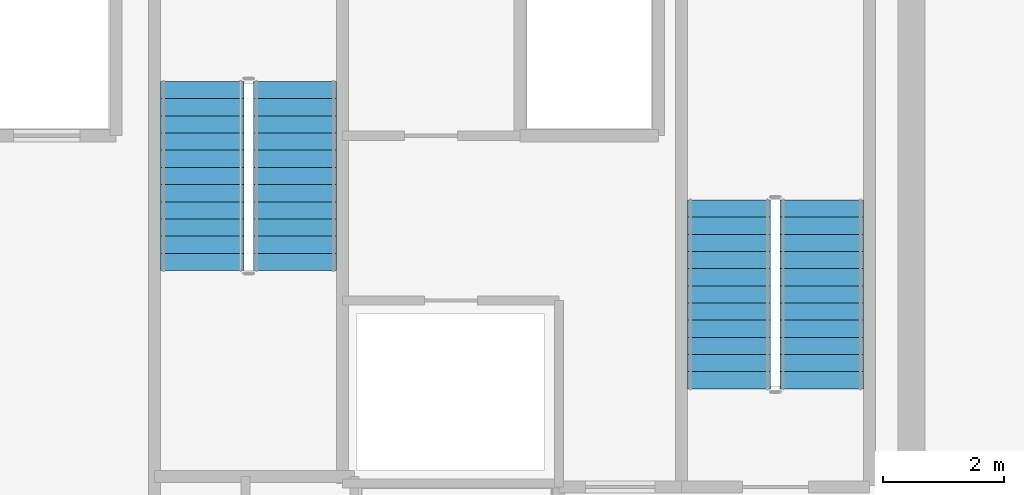
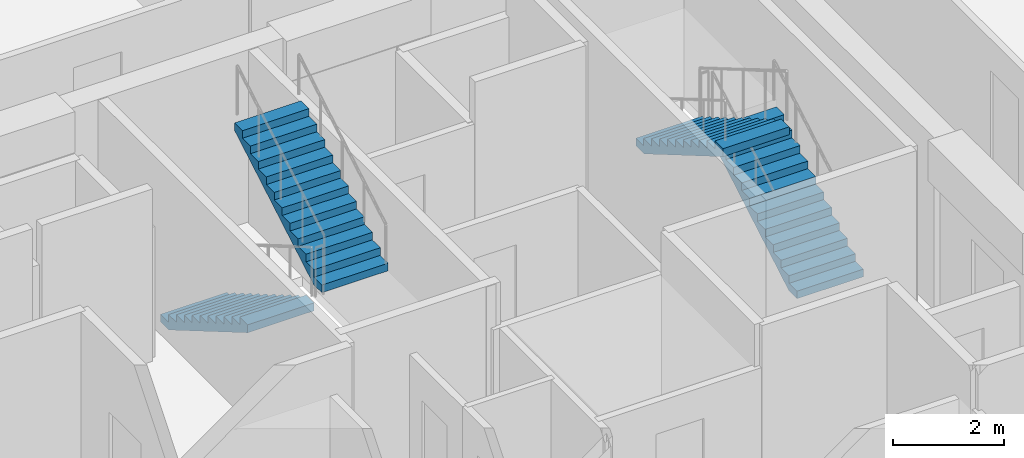
# One storey, part 16 of 20: 4 stair flights, 2 elements without a shape of their own.
"""IFC4 building model written with IfcOpenShell, lengths in metres."""

from ifc_helpers import new_model, si_unit, direction, frame, origin, place, context, subcontext, project, spatial, polyline, outline, extrude, material, type_object, element, aggregate, save


model = new_model("IFC4")

# Units and contexts
model_context = context("Model", 3, precision=1e-05, world=origin(), true_north=direction((0.0, 1.0)))
body_context = subcontext(model_context, "Body", "Model", "MODEL_VIEW")
ifc_project = project(units=[si_unit("LENGTHUNIT", "METRE"), si_unit("AREAUNIT", "SQUARE_METRE"), si_unit("VOLUMEUNIT", "CUBIC_METRE"), si_unit("PLANEANGLEUNIT", "RADIAN"), si_unit("MASSUNIT", "GRAM", prefix="KILO")], contexts=[model_context])

# Site, building, storey
site_placement = place(None, origin())
site = spatial("IfcSite", under=ifc_project, at=site_placement, CompositionType="ELEMENT")
building_placement = place(site_placement, origin())
building = spatial("IfcBuilding", under=site, at=building_placement, Name="Kovane Verandah Tower", CompositionType="ELEMENT")
storey_placement = place(building_placement, frame((0.0, 0.0, 287.199951171875)))
storey = spatial("IfcBuildingStorey", under=building, at=storey_placement, Name="L67", CompositionType="ELEMENT", Elevation=287.199951171875)

# Stair, stair flights
ifc_material = material(Name="Concrete C45/55", Category="concrete")
stair_type = type_object("IfcStairType", Name="ST-CORE-1380", PredefinedType="HALF_TURN_STAIR", material=ifc_material)
stair_1_placement = place(storey_placement, origin())
stair_1 = element("IfcStair", 1, at=stair_1_placement, inside=storey, type_object=stair_type, Name="L67 Exit Stair ST-02", PredefinedType="HALF_TURN_STAIR")
stair_flight_type = type_object("IfcStairFlightType", Name="STF-CORE-1380", PredefinedType="STRAIGHT", material=ifc_material)
stair_flight_1_placement = place(storey_placement, frame((49.510009765625, 29.25, 0.0), z_axis=(0.0, 0.0, 1.0), x_axis=(0.0, 1.0, 0.0)))
stair_flight_1 = element("IfcStairFlight", 2, at=stair_flight_1_placement, type_object=stair_flight_type, Name="ST-02 flight 1", NumberOfRisers=12, NumberOfTreads=11, PredefinedType="STRAIGHT", RiserHeight=0.166666667, TreadLength=0.285, context=body_context, shape_type="SweptSolid", body=[
    extrude(outline(polyline([(0.0, 0.0), (0.0, 0.166748046875), (0.284912109375, 0.166748046875), (0.284912109375, 0.333251953125), (0.570068359375, 0.333251953125), (0.570068359375, 0.5), (0.85498046875, 0.5), (0.85498046875, 0.666748046875), (1.139892578125, 0.666748046875), (1.139892578125, 0.833251953125), (1.425048828125, 0.833251953125), (1.425048828125, 1.0), (1.7099609375, 1.0), (1.7099609375, 1.166748046875), (1.9951171875, 1.166748046875), (1.9951171875, 1.333251953125), (2.280029296875, 1.333251953125), (2.280029296875, 1.5), (2.56494140625, 1.5), (2.56494140625, 1.666748046875), (2.85009765625, 1.666748046875), (2.85009765625, 1.833251953125), (3.135009765625, 1.833251953125), (3.135009765625, 2.0), (3.135009765625, 1.65966796875), (0.296875, 0.0), (0.0, 0.0)])), frame((0.0, 0.68994140625, 0.0), z_axis=(0.0, -1.0, 0.0), x_axis=(1.0, 0.0, 0.0)), (0.0, 0.0, 1.0), 1.3798828125),
])
stair_flight_2_placement = place(storey_placement, frame((47.969970703125, 32.385009765625, 2.0), z_axis=(0.0, 0.0, 1.0), x_axis=(0.0, -1.0, 0.0)))
stair_flight_2 = element("IfcStairFlight", 3, at=stair_flight_2_placement, type_object=stair_flight_type, Name="ST-02 flight 2", NumberOfRisers=12, NumberOfTreads=11, PredefinedType="STRAIGHT", RiserHeight=0.166666667, TreadLength=0.285, context=body_context, shape_type="SweptSolid", body=[
    extrude(outline(polyline([(0.0, 0.0), (0.0, 0.166748046875), (0.284912109375, 0.166748046875), (0.284912109375, 0.333251953125), (0.570068359375, 0.333251953125), (0.570068359375, 0.5), (0.85498046875, 0.5), (0.85498046875, 0.666748046875), (1.139892578125, 0.666748046875), (1.139892578125, 0.833251953125), (1.425048828125, 0.833251953125), (1.425048828125, 1.0), (1.7099609375, 1.0), (1.7099609375, 1.166748046875), (1.9951171875, 1.166748046875), (1.9951171875, 1.333251953125), (2.280029296875, 1.333251953125), (2.280029296875, 1.5), (2.56494140625, 1.5), (2.56494140625, 1.666748046875), (2.85009765625, 1.666748046875), (2.85009765625, 1.833251953125), (3.135009765625, 1.833251953125), (3.135009765625, 2.0), (3.135009765625, 1.65966796875), (0.296875, 0.0), (0.0, 0.0)])), frame((0.0, 0.68994140625, 0.0), z_axis=(0.0, -1.0, 0.0), x_axis=(1.0, 0.0, 0.0)), (0.0, 0.0, 1.0), 1.3798828125),
])
aggregate(stair_1, [stair_flight_1, stair_flight_2])

stair_2_placement = place(storey_placement, origin())
stair_2 = element("IfcStair", 4, at=stair_2_placement, inside=storey, type_object=stair_type, Name="L67 Exit Stair ST-03", PredefinedType="HALF_TURN_STAIR")
stair_flight_3_placement = place(storey_placement, frame((39.22998046875, 34.35009765625, 0.0), z_axis=(0.0, 0.0, 1.0), x_axis=(0.0, -1.0, 0.0)))
stair_flight_3 = element("IfcStairFlight", 5, at=stair_flight_3_placement, type_object=stair_flight_type, Name="ST-03 flight 1", NumberOfRisers=12, NumberOfTreads=11, PredefinedType="STRAIGHT", RiserHeight=0.166666667, TreadLength=0.285, context=body_context, shape_type="SweptSolid", body=[
    extrude(outline(polyline([(0.0, 0.0), (0.0, 0.166748046875), (0.284912109375, 0.166748046875), (0.284912109375, 0.333251953125), (0.570068359375, 0.333251953125), (0.570068359375, 0.5), (0.85498046875, 0.5), (0.85498046875, 0.666748046875), (1.139892578125, 0.666748046875), (1.139892578125, 0.833251953125), (1.425048828125, 0.833251953125), (1.425048828125, 1.0), (1.7099609375, 1.0), (1.7099609375, 1.166748046875), (1.9951171875, 1.166748046875), (1.9951171875, 1.333251953125), (2.280029296875, 1.333251953125), (2.280029296875, 1.5), (2.56494140625, 1.5), (2.56494140625, 1.666748046875), (2.85009765625, 1.666748046875), (2.85009765625, 1.833251953125), (3.135009765625, 1.833251953125), (3.135009765625, 2.0), (3.135009765625, 1.65966796875), (0.296875, 0.0), (0.0, 0.0)])), frame((0.0, 0.68994140625, 0.0), z_axis=(0.0, -1.0, 0.0), x_axis=(1.0, 0.0, 0.0)), (0.0, 0.0, 1.0), 1.3798828125),
])
stair_flight_4_placement = place(storey_placement, frame((40.77001953125, 31.215087890625, 2.0), z_axis=(0.0, 0.0, 1.0), x_axis=(0.0, 1.0, 0.0)))
stair_flight_4 = element("IfcStairFlight", 6, at=stair_flight_4_placement, type_object=stair_flight_type, Name="ST-03 flight 2", NumberOfRisers=12, NumberOfTreads=11, PredefinedType="STRAIGHT", RiserHeight=0.166666667, TreadLength=0.285, context=body_context, shape_type="SweptSolid", body=[
    extrude(outline(polyline([(0.0, 0.0), (0.0, 0.166748046875), (0.284912109375, 0.166748046875), (0.284912109375, 0.333251953125), (0.570068359375, 0.333251953125), (0.570068359375, 0.5), (0.85498046875, 0.5), (0.85498046875, 0.666748046875), (1.139892578125, 0.666748046875), (1.139892578125, 0.833251953125), (1.425048828125, 0.833251953125), (1.425048828125, 1.0), (1.7099609375, 1.0), (1.7099609375, 1.166748046875), (1.9951171875, 1.166748046875), (1.9951171875, 1.333251953125), (2.280029296875, 1.333251953125), (2.280029296875, 1.5), (2.56494140625, 1.5), (2.56494140625, 1.666748046875), (2.85009765625, 1.666748046875), (2.85009765625, 1.833251953125), (3.135009765625, 1.833251953125), (3.135009765625, 2.0), (3.135009765625, 1.65966796875), (0.296875, 0.0), (0.0, 0.0)])), frame((0.0, 0.68994140625, 0.0), z_axis=(0.0, -1.0, 0.0), x_axis=(1.0, 0.0, 0.0)), (0.0, 0.0, 1.0), 1.3798828125),
])
aggregate(stair_2, [stair_flight_3, stair_flight_4])

save(model, "model.ifc")
